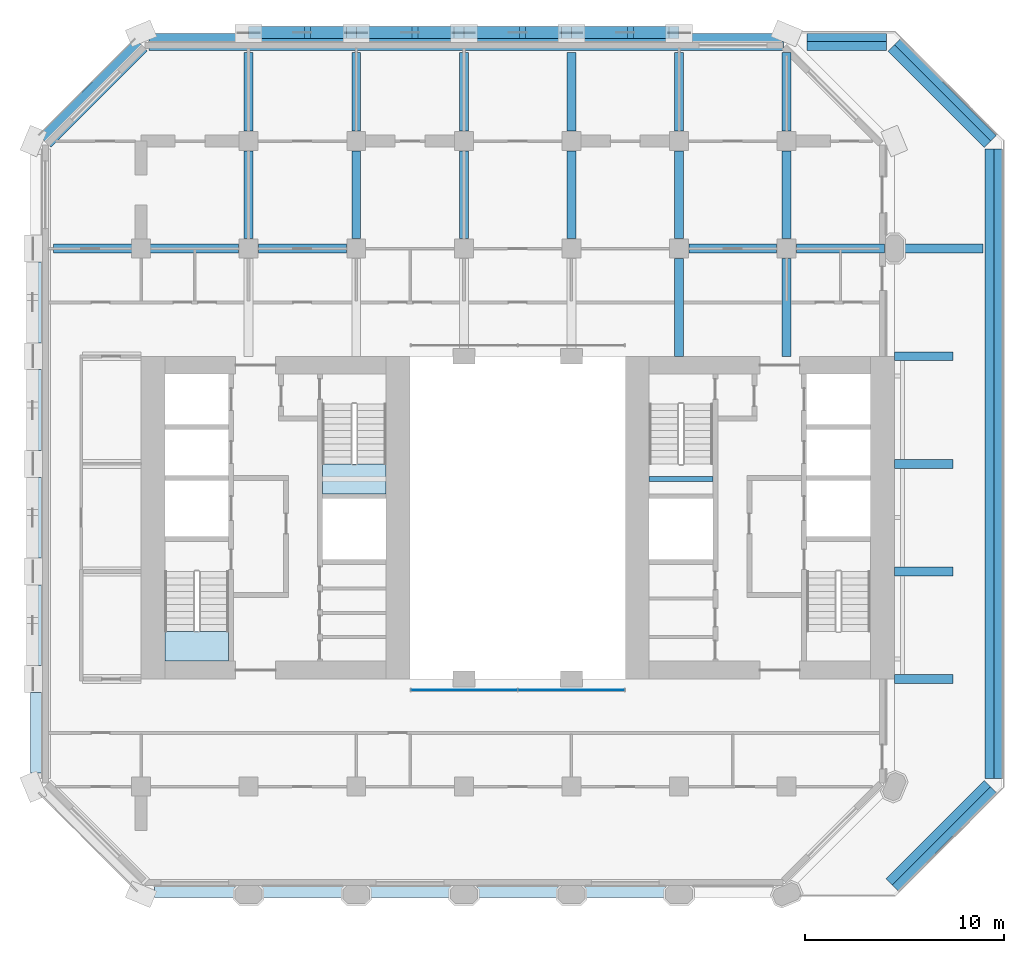
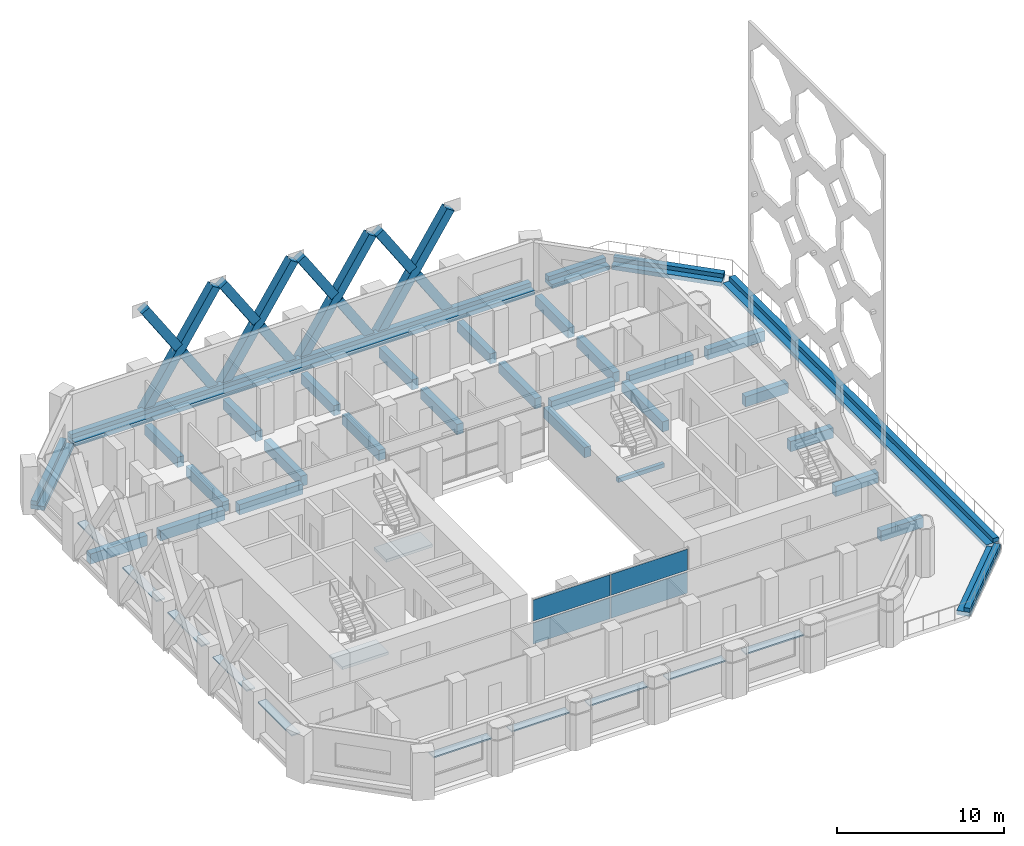
# One storey, part 5 of 14: 37 beams, 14 plates, 12 members, 2 slabs, 3 elements without a shape of their own.
"""IFC4 building model written with IfcOpenShell, lengths in metres."""

from ifc_helpers import new_model, si_unit, direction, frame, origin, origin_2d, place, context, subcontext, project, spatial, polyline, rectangle, outline, extrude, material, layer, layer_set, material_profile, profile_set, type_object, element, aggregate, save


model = new_model("IFC4")

# Units and contexts
model_context = context("Model", 3, precision=1e-05, world=origin(), true_north=direction((0.0, 1.0)))
body_context = subcontext(model_context, "Body", "Model", "MODEL_VIEW")
ifc_project = project(units=[si_unit("LENGTHUNIT", "METRE"), si_unit("AREAUNIT", "SQUARE_METRE"), si_unit("VOLUMEUNIT", "CUBIC_METRE"), si_unit("PLANEANGLEUNIT", "RADIAN"), si_unit("MASSUNIT", "GRAM", prefix="KILO")], contexts=[model_context])

# Site, building, storey
site_placement = place(None, origin())
site = spatial("IfcSite", under=ifc_project, at=site_placement, CompositionType="ELEMENT")
building_placement = place(site_placement, origin())
building = spatial("IfcBuilding", under=site, at=building_placement, Name="Tabaq Tower and Sports Hall", CompositionType="ELEMENT")
storey_placement = place(building_placement, frame((0.0, 0.0, 95.39990234375)))
storey = spatial("IfcBuildingStorey", under=building, at=storey_placement, Name="L22", CompositionType="ELEMENT", Elevation=95.39990234375)

# Beams
ifc_material_1 = material(Name="Concrete C40/50", Category="concrete")
ifc_material_profile_1 = material_profile(ifc_material_1, rectangle(XDim=0.449951171875, YDim=0.75, at=origin_2d()), Name="CB 450x750")
ifc_profile_set_1 = profile_set([ifc_material_profile_1], Name="Concrete C40/50")
beam_type_1 = type_object("IfcBeamType", Name="PT CANTILEVER BEAM CB 450x750 C40/50", PredefinedType="BEAM", material=ifc_profile_set_1)
beam_1_placement = place(storey_placement, frame((1.0, 37.800048828125, -0.6748046875), z_axis=(1.0, 0.0, 0.0), x_axis=(0.0, 1.0, 0.0)))
element("IfcBeam", 1, at=beam_1_placement, inside=storey, type_object=beam_type_1, Name="Cantilever Beam L22 W7 span 1", PredefinedType="BEAM", context=body_context, shape_type="SweptSolid", body=[
    extrude(rectangle(XDim=0.449951171875, YDim=0.75, at=origin_2d()), origin(), (0.0, 0.0, 1.0), 3.949951171875),
])
beam_2_placement = place(storey_placement, frame((5.85009765625, 37.800048828125, -0.6748046875), z_axis=(1.0, 0.0, 0.0), x_axis=(0.0, 1.0, 0.0)))
element("IfcBeam", 2, at=beam_2_placement, inside=storey, type_object=beam_type_1, Name="Cantilever Beam L22 W7 span 2", PredefinedType="BEAM", context=body_context, shape_type="SweptSolid", body=[
    extrude(rectangle(XDim=0.449951171875, YDim=0.75, at=origin_2d()), origin(), (0.0, 0.0, 1.0), 4.449951171875),
])
beam_3_placement = place(storey_placement, frame((11.300048828125, 37.800048828125, -0.6748046875), z_axis=(1.0, 0.0, 0.0), x_axis=(0.0, 1.0, 0.0)))
element("IfcBeam", 3, at=beam_3_placement, inside=storey, type_object=beam_type_1, Name="Cantilever Beam L22 W7 span 3", PredefinedType="BEAM", context=body_context, shape_type="SweptSolid", body=[
    extrude(rectangle(XDim=0.449951171875, YDim=0.75, at=origin_2d()), origin(), (0.0, 0.0, 1.0), 4.39990234375),
])
for number, where, z_axis, x_axis, name in (
    (4, (46.14990234375, 16.199951171875, -0.6748046875), (-1.0, 0.0, 0.0), (0.0, -1.0, 0.0), "Cantilever Beam L22 E3 span 1"),
    (5, (46.14990234375, 21.60009765625, -0.6748046875), (-1.0, 0.0, 0.0), (0.0, -1.0, 0.0), "Cantilever Beam L22 E4 span 1"),
    (6, (46.14990234375, 27.0, -0.6748046875), (-1.0, 0.0, 0.0), (0.0, -1.0, 0.0), "Cantilever Beam L22 E5 span 1"),
    (7, (46.14990234375, 32.39990234375, -0.6748046875), (-1.0, 0.0, 0.0), (0.0, -1.0, 0.0), "Cantilever Beam L22 E6 span 1"),
):
    element("IfcBeam", number, at=place(storey_placement, frame(where, z_axis=z_axis, x_axis=x_axis)), inside=storey, type_object=beam_type_1, Name=name, PredefinedType="BEAM", context=body_context, shape_type="SweptSolid", body=[
        extrude(rectangle(XDim=0.449951171875, YDim=0.75, at=origin_2d()), origin(), (0.0, 0.0, 1.0), 2.949951171875),
    ])
beam_4_placement = place(storey_placement, frame((47.64990234375, 37.800048828125, -0.6748046875), z_axis=(-1.0, 0.0, 0.0), x_axis=(0.0, -1.0, 0.0)))
element("IfcBeam", 8, at=beam_4_placement, inside=storey, type_object=beam_type_1, Name="Cantilever Beam L22 E7 span 1", PredefinedType="BEAM", context=body_context, shape_type="SweptSolid", body=[
    extrude(rectangle(XDim=0.449951171875, YDim=0.75, at=origin_2d()), origin(), (0.0, 0.0, 1.0), 3.949951171875),
])
beam_5_placement = place(storey_placement, frame((42.699951171875, 37.800048828125, -0.6748046875), z_axis=(-1.0, 0.0, 0.0), x_axis=(0.0, -1.0, 0.0)))
element("IfcBeam", 9, at=beam_5_placement, inside=storey, type_object=beam_type_1, Name="Cantilever Beam L22 E7 span 2", PredefinedType="BEAM", context=body_context, shape_type="SweptSolid", body=[
    extrude(rectangle(XDim=0.449951171875, YDim=0.75, at=origin_2d()), origin(), (0.0, 0.0, 1.0), 4.39990234375),
])
beam_6_placement = place(storey_placement, frame((37.300048828125, 37.800048828125, -0.6748046875), z_axis=(-1.0, 0.0, 0.0), x_axis=(0.0, -1.0, 0.0)))
element("IfcBeam", 10, at=beam_6_placement, inside=storey, type_object=beam_type_1, Name="Cantilever Beam L22 E7 span 3", PredefinedType="BEAM", context=body_context, shape_type="SweptSolid", body=[
    extrude(rectangle(XDim=0.449951171875, YDim=0.75, at=origin_2d()), origin(), (0.0, 0.0, 1.0), 4.400146484375),
])
beam_7_placement = place(storey_placement, frame((10.800048828125, 47.64990234375, -0.6748046875), z_axis=(0.0, -1.0, 0.0), x_axis=(1.0, 0.0, 0.0)))
element("IfcBeam", 11, at=beam_7_placement, inside=storey, type_object=beam_type_1, Name="Cantilever Beam L22 N2 span 1", PredefinedType="BEAM", context=body_context, shape_type="SweptSolid", body=[
    extrude(rectangle(XDim=0.449951171875, YDim=0.75, at=origin_2d()), origin(), (0.0, 0.0, 1.0), 3.949951171875),
])
beam_8_placement = place(storey_placement, frame((10.800048828125, 42.699951171875, -0.6748046875), z_axis=(0.0, -1.0, 0.0), x_axis=(1.0, 0.0, 0.0)))
element("IfcBeam", 12, at=beam_8_placement, inside=storey, type_object=beam_type_1, Name="Cantilever Beam L22 N2 span 2", PredefinedType="BEAM", context=body_context, shape_type="SweptSolid", body=[
    extrude(rectangle(XDim=0.449951171875, YDim=0.75, at=origin_2d()), origin(), (0.0, 0.0, 1.0), 4.39990234375),
])
beam_9_placement = place(storey_placement, frame((16.199951171875, 47.64990234375, -0.6748046875), z_axis=(0.0, -1.0, 0.0), x_axis=(1.0, 0.0, 0.0)))
element("IfcBeam", 13, at=beam_9_placement, inside=storey, type_object=beam_type_1, Name="Cantilever Beam L22 N3 span 1", PredefinedType="BEAM", context=body_context, shape_type="SweptSolid", body=[
    extrude(rectangle(XDim=0.449951171875, YDim=0.75, at=origin_2d()), origin(), (0.0, 0.0, 1.0), 3.949951171875),
])
beam_10_placement = place(storey_placement, frame((16.199951171875, 42.699951171875, -0.6748046875), z_axis=(0.0, -1.0, 0.0), x_axis=(1.0, 0.0, 0.0)))
element("IfcBeam", 14, at=beam_10_placement, inside=storey, type_object=beam_type_1, Name="Cantilever Beam L22 N3 span 2", PredefinedType="BEAM", context=body_context, shape_type="SweptSolid", body=[
    extrude(rectangle(XDim=0.449951171875, YDim=0.75, at=origin_2d()), origin(), (0.0, 0.0, 1.0), 4.39990234375),
])
beam_11_placement = place(storey_placement, frame((21.60009765625, 47.64990234375, -0.6748046875), z_axis=(0.0, -1.0, 0.0), x_axis=(1.0, 0.0, 0.0)))
element("IfcBeam", 15, at=beam_11_placement, inside=storey, type_object=beam_type_1, Name="Cantilever Beam L22 N4 span 1", PredefinedType="BEAM", context=body_context, shape_type="SweptSolid", body=[
    extrude(rectangle(XDim=0.449951171875, YDim=0.75, at=origin_2d()), origin(), (0.0, 0.0, 1.0), 3.949951171875),
])
beam_12_placement = place(storey_placement, frame((21.60009765625, 42.699951171875, -0.6748046875), z_axis=(0.0, -1.0, 0.0), x_axis=(1.0, 0.0, 0.0)))
element("IfcBeam", 16, at=beam_12_placement, inside=storey, type_object=beam_type_1, Name="Cantilever Beam L22 N4 span 2", PredefinedType="BEAM", context=body_context, shape_type="SweptSolid", body=[
    extrude(rectangle(XDim=0.449951171875, YDim=0.75, at=origin_2d()), origin(), (0.0, 0.0, 1.0), 4.39990234375),
])
beam_13_placement = place(storey_placement, frame((27.0, 47.64990234375, -0.6748046875), z_axis=(0.0, -1.0, 0.0), x_axis=(1.0, 0.0, 0.0)))
element("IfcBeam", 17, at=beam_13_placement, inside=storey, type_object=beam_type_1, Name="Cantilever Beam L22 N5 span 1", PredefinedType="BEAM", context=body_context, shape_type="SweptSolid", body=[
    extrude(rectangle(XDim=0.449951171875, YDim=0.75, at=origin_2d()), origin(), (0.0, 0.0, 1.0), 3.949951171875),
])
beam_14_placement = place(storey_placement, frame((27.0, 42.699951171875, -0.6748046875), z_axis=(0.0, -1.0, 0.0), x_axis=(1.0, 0.0, 0.0)))
element("IfcBeam", 18, at=beam_14_placement, inside=storey, type_object=beam_type_1, Name="Cantilever Beam L22 N5 span 2", PredefinedType="BEAM", context=body_context, shape_type="SweptSolid", body=[
    extrude(rectangle(XDim=0.449951171875, YDim=0.75, at=origin_2d()), origin(), (0.0, 0.0, 1.0), 4.39990234375),
])
beam_15_placement = place(storey_placement, frame((32.39990234375, 47.64990234375, -0.6748046875), z_axis=(0.0, -1.0, 0.0), x_axis=(1.0, 0.0, 0.0)))
element("IfcBeam", 19, at=beam_15_placement, inside=storey, type_object=beam_type_1, Name="Cantilever Beam L22 N6 span 1", PredefinedType="BEAM", context=body_context, shape_type="SweptSolid", body=[
    extrude(rectangle(XDim=0.449951171875, YDim=0.75, at=origin_2d()), origin(), (0.0, 0.0, 1.0), 3.949951171875),
])
beam_16_placement = place(storey_placement, frame((32.39990234375, 42.699951171875, -0.6748046875), z_axis=(0.0, -1.0, 0.0), x_axis=(1.0, 0.0, 0.0)))
element("IfcBeam", 20, at=beam_16_placement, inside=storey, type_object=beam_type_1, Name="Cantilever Beam L22 N6 span 2", PredefinedType="BEAM", context=body_context, shape_type="SweptSolid", body=[
    extrude(rectangle(XDim=0.449951171875, YDim=0.75, at=origin_2d()), origin(), (0.0, 0.0, 1.0), 4.39990234375),
])
beam_17_placement = place(storey_placement, frame((32.39990234375, 37.300048828125, -0.6748046875), z_axis=(0.0, -1.0, 0.0), x_axis=(1.0, 0.0, 0.0)))
element("IfcBeam", 21, at=beam_17_placement, inside=storey, type_object=beam_type_1, Name="Cantilever Beam L22 N6 span 3", PredefinedType="BEAM", context=body_context, shape_type="SweptSolid", body=[
    extrude(rectangle(XDim=0.449951171875, YDim=0.75, at=origin_2d()), origin(), (0.0, 0.0, 1.0), 4.900146484375),
])
beam_18_placement = place(storey_placement, frame((37.800048828125, 47.64990234375, -0.6748046875), z_axis=(0.0, -1.0, 0.0), x_axis=(1.0, 0.0, 0.0)))
element("IfcBeam", 22, at=beam_18_placement, inside=storey, type_object=beam_type_1, Name="Cantilever Beam L22 N7 span 1", PredefinedType="BEAM", context=body_context, shape_type="SweptSolid", body=[
    extrude(rectangle(XDim=0.449951171875, YDim=0.75, at=origin_2d()), origin(), (0.0, 0.0, 1.0), 3.949951171875),
])
beam_19_placement = place(storey_placement, frame((37.800048828125, 42.699951171875, -0.6748046875), z_axis=(0.0, -1.0, 0.0), x_axis=(1.0, 0.0, 0.0)))
element("IfcBeam", 23, at=beam_19_placement, inside=storey, type_object=beam_type_1, Name="Cantilever Beam L22 N7 span 2", PredefinedType="BEAM", context=body_context, shape_type="SweptSolid", body=[
    extrude(rectangle(XDim=0.449951171875, YDim=0.75, at=origin_2d()), origin(), (0.0, 0.0, 1.0), 4.39990234375),
])
beam_20_placement = place(storey_placement, frame((37.800048828125, 37.300048828125, -0.6748046875), z_axis=(0.0, -1.0, 0.0), x_axis=(1.0, 0.0, 0.0)))
element("IfcBeam", 24, at=beam_20_placement, inside=storey, type_object=beam_type_1, Name="Cantilever Beam L22 N7 span 3", PredefinedType="BEAM", context=body_context, shape_type="SweptSolid", body=[
    extrude(rectangle(XDim=0.449951171875, YDim=0.75, at=origin_2d()), origin(), (0.0, 0.0, 1.0), 4.900146484375),
])
ifc_material_2 = material(Name="Concrete C40/50", Category="concrete")
ifc_material_profile_2 = material_profile(ifc_material_2, rectangle(XDim=0.85009765625, YDim=0.300048828125, at=origin_2d()), Name="EB 850x300")
ifc_profile_set_2 = profile_set([ifc_material_profile_2], Name="Concrete C40/50")
beam_type_2 = type_object("IfcBeamType", Name="PT EDGE BEAM EB 850x300 C40/50", PredefinedType="SPANDREL", material=ifc_profile_set_2)
beam_21_placement = place(storey_placement, frame((37.63818359375, 48.175048828125, -0.14990234375), z_axis=(-1.0, 0.0, 0.0), x_axis=(0.0, -1.0, 0.0)))
element("IfcBeam", 25, at=beam_21_placement, inside=storey, type_object=beam_type_2, Name="Edge Beam L22 1", PredefinedType="SPANDREL", context=body_context, shape_type="SweptSolid", body=[
    extrude(rectangle(XDim=0.85009765625, YDim=0.300048828125, at=origin_2d()), origin(), (0.0, 0.0, 1.0), 31.836181640625),
])
beam_22_placement = place(storey_placement, frame((5.416259765625, 48.01513671875, -0.14990234375), z_axis=(-0.707124646667, -0.707088915255, 0.0), x_axis=(0.707088915255, -0.707124646667, 0.0)))
element("IfcBeam", 26, at=beam_22_placement, inside=storey, type_object=beam_type_2, Name="Edge Beam L22 2", PredefinedType="SPANDREL", context=body_context, shape_type="SweptSolid", body=[
    extrude(rectangle(XDim=0.85009765625, YDim=0.300048828125, at=origin_2d()), origin(), (0.0, 0.0, 1.0), 6.832763671875),
])
beam_23_placement = place(storey_placement, frame((43.076171875, 5.877197265625, -0.14990234375), z_axis=(0.707106781187, 0.707106781187, 0.0), x_axis=(-0.707106781187, 0.707106781187, 0.0)))
element("IfcBeam", 27, at=beam_23_placement, inside=storey, type_object=beam_type_2, Name="Edge Beam L22 5", PredefinedType="SPANDREL", context=body_context, shape_type="SweptSolid", body=[
    extrude(rectangle(XDim=0.85009765625, YDim=0.300048828125, at=origin_2d()), origin(), (0.0, 0.0, 1.0), 6.98486328125),
])
beam_24_placement = place(storey_placement, frame((48.175048828125, 11.2021484375, -0.14990234375), z_axis=(0.0, 1.0, 0.0), x_axis=(-1.0, 0.0, 0.0)))
element("IfcBeam", 28, at=beam_24_placement, inside=storey, type_object=beam_type_2, Name="Edge Beam L22 6", PredefinedType="SPANDREL", context=body_context, shape_type="SweptSolid", body=[
    extrude(rectangle(XDim=0.85009765625, YDim=0.300048828125, at=origin_2d()), origin(), (0.0, 0.0, 1.0), 31.595703125),
])
beam_25_placement = place(storey_placement, frame((48.01513671875, 43.183837890625, -0.14990234375), z_axis=(-0.707106781187, 0.707106781187, 0.0), x_axis=(-0.707106781187, -0.707106781187, 0.0)))
element("IfcBeam", 29, at=beam_25_placement, inside=storey, type_object=beam_type_2, Name="Edge Beam L22 7", PredefinedType="SPANDREL", context=body_context, shape_type="SweptSolid", body=[
    extrude(rectangle(XDim=0.85009765625, YDim=0.300048828125, at=origin_2d()), origin(), (0.0, 0.0, 1.0), 6.83251953125),
])
beam_26_placement = place(storey_placement, frame((42.7978515625, 48.175048828125, -0.14990234375), z_axis=(-1.0, 0.0, 0.0), x_axis=(0.0, -1.0, 0.0)))
element("IfcBeam", 30, at=beam_26_placement, inside=storey, type_object=beam_type_2, Name="Edge Beam L22 8", PredefinedType="SPANDREL", context=body_context, shape_type="SweptSolid", body=[
    extrude(rectangle(XDim=0.85009765625, YDim=0.300048828125, at=origin_2d()), origin(), (0.0, 0.0, 1.0), 3.98583984375),
])
ifc_material_3 = material(Name="Concrete C40/50", Category="concrete")
ifc_material_profile_3 = material_profile(ifc_material_3, rectangle(XDim=0.39990234375, YDim=0.300048828125, at=origin_2d()), Name="EU 400x300")
ifc_profile_set_3 = profile_set([ifc_material_profile_3], Name="Concrete C40/50")
beam_type_3 = type_object("IfcBeamType", Name="PT EDGE UPSTAND EU 400x300 C40/50", PredefinedType="BEAM", material=ifc_profile_set_3)
beam_27_placement = place(storey_placement, frame((37.63818359375, 48.39990234375, 0.150146484375), z_axis=(-1.0, 0.0, 0.0), x_axis=(0.0, -1.0, 0.0)))
element("IfcBeam", 31, at=beam_27_placement, inside=storey, type_object=beam_type_3, Name="Edge Upstand L22 1", PredefinedType="BEAM", context=body_context, shape_type="SweptSolid", body=[
    extrude(rectangle(XDim=0.39990234375, YDim=0.300048828125, at=origin_2d()), origin(), (0.0, 0.0, 1.0), 31.836181640625),
])
beam_28_placement = place(storey_placement, frame((5.257080078125, 48.17431640625, 0.150146484375), z_axis=(-0.707088915255, -0.707124646667, 0.0), x_axis=(0.707124646667, -0.707088915255, 0.0)))
element("IfcBeam", 32, at=beam_28_placement, inside=storey, type_object=beam_type_3, Name="Edge Upstand L22 2", PredefinedType="BEAM", context=body_context, shape_type="SweptSolid", body=[
    extrude(rectangle(XDim=0.39990234375, YDim=0.300048828125, at=origin_2d()), origin(), (0.0, 0.0, 1.0), 6.832763671875),
])
beam_29_placement = place(storey_placement, frame((43.2353515625, 5.71826171875, 0.150146484375), z_axis=(0.707106781187, 0.707106781187, 0.0), x_axis=(-0.707106781187, 0.707106781187, 0.0)))
element("IfcBeam", 33, at=beam_29_placement, inside=storey, type_object=beam_type_3, Name="Edge Upstand L22 5", PredefinedType="BEAM", context=body_context, shape_type="SweptSolid", body=[
    extrude(rectangle(XDim=0.39990234375, YDim=0.300048828125, at=origin_2d()), origin(), (0.0, 0.0, 1.0), 6.98486328125),
])
beam_30_placement = place(storey_placement, frame((48.39990234375, 11.2021484375, 0.150146484375), z_axis=(0.0, 1.0, 0.0), x_axis=(-1.0, 0.0, 0.0)))
element("IfcBeam", 34, at=beam_30_placement, inside=storey, type_object=beam_type_3, Name="Edge Upstand L22 6", PredefinedType="BEAM", context=body_context, shape_type="SweptSolid", body=[
    extrude(rectangle(XDim=0.39990234375, YDim=0.300048828125, at=origin_2d()), origin(), (0.0, 0.0, 1.0), 31.595703125),
])
beam_31_placement = place(storey_placement, frame((48.17431640625, 43.3427734375, 0.150146484375), z_axis=(-0.707106781187, 0.707106781187, 0.0), x_axis=(-0.707106781187, -0.707106781187, 0.0)))
element("IfcBeam", 35, at=beam_31_placement, inside=storey, type_object=beam_type_3, Name="Edge Upstand L22 7", PredefinedType="BEAM", context=body_context, shape_type="SweptSolid", body=[
    extrude(rectangle(XDim=0.39990234375, YDim=0.300048828125, at=origin_2d()), origin(), (0.0, 0.0, 1.0), 6.832763671875),
])
beam_32_placement = place(storey_placement, frame((42.7978515625, 48.39990234375, 0.150146484375), z_axis=(-1.0, 0.0, 0.0), x_axis=(0.0, -1.0, 0.0)))
element("IfcBeam", 36, at=beam_32_placement, inside=storey, type_object=beam_type_3, Name="Edge Upstand L22 8", PredefinedType="BEAM", context=body_context, shape_type="SweptSolid", body=[
    extrude(rectangle(XDim=0.39990234375, YDim=0.300048828125, at=origin_2d()), origin(), (0.0, 0.0, 1.0), 3.98583984375),
])

# Members
ifc_material_4 = material(Name="Concrete C60/75", Category="concrete")
ifc_material_profile_4 = material_profile(ifc_material_4, rectangle(XDim=0.60009765625, YDim=0.60009765625, at=origin_2d()), Name="TRANSFER BAND BRACE 600x600")
ifc_profile_set_4 = profile_set([ifc_material_profile_4], Name="Concrete C60/75")
member_type = type_object("IfcMemberType", Name="RC TRANSFER BAND BRACE 600x600 C60/75", PredefinedType="BRACE", material=ifc_profile_set_4)
member_1_placement = place(storey_placement, frame((11.050048828125, 48.64990234375, -0.0498046875), z_axis=(0.546940944285, 0.0, 0.837171191253), x_axis=(0.0, 1.0, 0.0)))
element("IfcMember", 37, at=member_1_placement, inside=storey, type_object=member_type, Name="Transfer Band Brace L22 North 1", PredefinedType="BRACE", context=body_context, shape_type="SweptSolid", body=[
    extrude(rectangle(XDim=0.60009765625, YDim=0.60009765625, at=origin_2d()), origin(), (0.0, 0.0, 1.0), 8.958740234375),
])
member_2_placement = place(storey_placement, frame((15.949951171875, 48.64990234375, -0.0498046875), z_axis=(-0.546939353543, 0.0, 0.837172230516), x_axis=(0.0, -1.0, 0.0)))
element("IfcMember", 38, at=member_2_placement, inside=storey, type_object=member_type, Name="Transfer Band Brace L22 North 2", PredefinedType="BRACE", context=body_context, shape_type="SweptSolid", body=[
    extrude(rectangle(XDim=0.60009765625, YDim=0.60009765625, at=origin_2d()), origin(), (0.0, 0.0, 1.0), 4.20166015625),
])
member_3_placement = place(storey_placement, frame((13.34814453125, 48.64990234375, 3.932373046875), z_axis=(-0.546912749448, 0.0, 0.837189610836), x_axis=(0.0, -1.0, 0.0)))
element("IfcMember", 39, at=member_3_placement, inside=storey, type_object=member_type, Name="Transfer Band Brace L22 North 3", PredefinedType="BRACE", context=body_context, shape_type="SweptSolid", body=[
    extrude(rectangle(XDim=0.60009765625, YDim=0.60009765625, at=origin_2d()), origin(), (0.0, 0.0, 1.0), 4.201904296875),
])
member_4_placement = place(storey_placement, frame((16.449951171875, 48.64990234375, -0.0498046875), z_axis=(0.546960043342, 0.0, 0.837158713141), x_axis=(0.0, 1.0, 0.0)))
element("IfcMember", 40, at=member_4_placement, inside=storey, type_object=member_type, Name="Transfer Band Brace L22 North 4", PredefinedType="BRACE", context=body_context, shape_type="SweptSolid", body=[
    extrude(rectangle(XDim=0.60009765625, YDim=0.60009765625, at=origin_2d()), origin(), (0.0, 0.0, 1.0), 8.958984375),
])
member_5_placement = place(storey_placement, frame((21.35009765625, 48.64990234375, -0.0498046875), z_axis=(-0.546980074693, 0.0, 0.837145625258), x_axis=(0.0, -1.0, 0.0)))
element("IfcMember", 41, at=member_5_placement, inside=storey, type_object=member_type, Name="Transfer Band Brace L22 North 5", PredefinedType="BRACE", context=body_context, shape_type="SweptSolid", body=[
    extrude(rectangle(XDim=0.60009765625, YDim=0.60009765625, at=origin_2d()), origin(), (0.0, 0.0, 1.0), 4.201904296875),
])
member_6_placement = place(storey_placement, frame((18.748291015625, 48.64990234375, 3.932373046875), z_axis=(-0.546953470309, 0.0, 0.837163007614), x_axis=(0.0, -1.0, 0.0)))
element("IfcMember", 42, at=member_6_placement, inside=storey, type_object=member_type, Name="Transfer Band Brace L22 North 6", PredefinedType="BRACE", context=body_context, shape_type="SweptSolid", body=[
    extrude(rectangle(XDim=0.60009765625, YDim=0.60009765625, at=origin_2d()), origin(), (0.0, 0.0, 1.0), 4.2021484375),
])
member_7_placement = place(storey_placement, frame((21.85009765625, 48.64990234375, -0.0498046875), z_axis=(0.546940944285, 0.0, 0.837171191253), x_axis=(0.0, 1.0, 0.0)))
element("IfcMember", 43, at=member_7_placement, inside=storey, type_object=member_type, Name="Transfer Band Brace L22 North 7", PredefinedType="BRACE", context=body_context, shape_type="SweptSolid", body=[
    extrude(rectangle(XDim=0.60009765625, YDim=0.60009765625, at=origin_2d()), origin(), (0.0, 0.0, 1.0), 8.958740234375),
])
member_8_placement = place(storey_placement, frame((26.75, 48.64990234375, -0.0498046875), z_axis=(-0.546939353543, 0.0, 0.837172230516), x_axis=(0.0, -1.0, 0.0)))
element("IfcMember", 44, at=member_8_placement, inside=storey, type_object=member_type, Name="Transfer Band Brace L22 North 8", PredefinedType="BRACE", context=body_context, shape_type="SweptSolid", body=[
    extrude(rectangle(XDim=0.60009765625, YDim=0.60009765625, at=origin_2d()), origin(), (0.0, 0.0, 1.0), 4.20166015625),
])
member_9_placement = place(storey_placement, frame((24.148193359375, 48.64990234375, 3.932373046875), z_axis=(-0.546912749448, 0.0, 0.837189610836), x_axis=(0.0, -1.0, 0.0)))
element("IfcMember", 45, at=member_9_placement, inside=storey, type_object=member_type, Name="Transfer Band Brace L22 North 9", PredefinedType="BRACE", context=body_context, shape_type="SweptSolid", body=[
    extrude(rectangle(XDim=0.60009765625, YDim=0.60009765625, at=origin_2d()), origin(), (0.0, 0.0, 1.0), 4.201904296875),
])
member_10_placement = place(storey_placement, frame((27.25, 48.64990234375, -0.0498046875), z_axis=(0.546940944285, 0.0, 0.837171191253), x_axis=(0.0, 1.0, 0.0)))
element("IfcMember", 46, at=member_10_placement, inside=storey, type_object=member_type, Name="Transfer Band Brace L22 North 10", PredefinedType="BRACE", context=body_context, shape_type="SweptSolid", body=[
    extrude(rectangle(XDim=0.60009765625, YDim=0.60009765625, at=origin_2d()), origin(), (0.0, 0.0, 1.0), 8.958740234375),
])
member_11_placement = place(storey_placement, frame((32.14990234375, 48.64990234375, -0.0498046875), z_axis=(-0.546939353543, 0.0, 0.837172230516), x_axis=(0.0, -1.0, 0.0)))
element("IfcMember", 47, at=member_11_placement, inside=storey, type_object=member_type, Name="Transfer Band Brace L22 North 11", PredefinedType="BRACE", context=body_context, shape_type="SweptSolid", body=[
    extrude(rectangle(XDim=0.60009765625, YDim=0.60009765625, at=origin_2d()), origin(), (0.0, 0.0, 1.0), 4.20166015625),
])
member_12_placement = place(storey_placement, frame((29.548095703125, 48.64990234375, 3.932373046875), z_axis=(-0.546912749448, 0.0, 0.837189610836), x_axis=(0.0, -1.0, 0.0)))
element("IfcMember", 48, at=member_12_placement, inside=storey, type_object=member_type, Name="Transfer Band Brace L22 North 12", PredefinedType="BRACE", context=body_context, shape_type="SweptSolid", body=[
    extrude(rectangle(XDim=0.60009765625, YDim=0.60009765625, at=origin_2d()), origin(), (0.0, 0.0, 1.0), 4.201904296875),
])

# Beam
ifc_material_5 = material(Name="Concrete C40/50", Category="concrete")
ifc_material_profile_5 = material_profile(ifc_material_5, rectangle(XDim=0.25, YDim=0.300048828125, at=origin_2d()), Name="RC 250x300")
ifc_profile_set_5 = profile_set([ifc_material_profile_5], Name="Concrete C40/50")
beam_type_4 = type_object("IfcBeamType", Name="Stair landing beam 250x300", PredefinedType="BEAM", material=ifc_profile_set_5)
beam_33_placement = place(storey_placement, frame((30.89990234375, 26.25, 1.550048828125), z_axis=(1.0, 0.0, 0.0), x_axis=(0.0, 1.0, 0.0)))
element("IfcBeam", 49, at=beam_33_placement, inside=storey, type_object=beam_type_4, Name="L22 ST4 landing beam 1", PredefinedType="BEAM", context=body_context, shape_type="SweptSolid", body=[
    extrude(rectangle(XDim=0.25, YDim=0.300048828125, at=origin_2d()), origin(), (0.0, 0.0, 1.0), 3.2001953125),
])

# Curtain wall, plates
ifc_material_6 = material(Name="Aluminium alloy 6063-T6 framed glazing", Category="aluminium")
curtain_wall_type = type_object("IfcCurtainWallType", Name="CW1 curtain wall", PredefinedType="USERDEFINED", material=ifc_material_6)
curtain_wall_placement = place(storey_placement, origin())
curtain_wall = element("IfcCurtainWall", 50, at=curtain_wall_placement, inside=storey, type_object=curtain_wall_type, Name="Atrium glazing L22 S", ObjectType="ATRIUM ENCLOSURE", PredefinedType="USERDEFINED")
ifc_material_7 = material(Name="Clear low-emissivity glass 28 mm", Category="glass")
ifc_layer_1 = layer(ifc_material_7, 0.028076171875)
ifc_layer_set_1 = layer_set([ifc_layer_1], Name="CW1 glass panel 28")
plate_type_1 = type_object("IfcPlateType", Name="CW1 glass panel 28", PredefinedType="CURTAIN_PANEL", material=ifc_layer_set_1)
plate_1_placement = place(storey_placement, frame((21.614990234375, 15.64990234375, 0.14013671875), z_axis=(0.0, 0.0, 1.0), x_axis=(1.0, 0.0, 0.0)))
plate_1 = element("IfcPlate", 51, at=plate_1_placement, type_object=plate_type_1, Name="CW1 panel 1.1", PredefinedType="CURTAIN_PANEL", context=body_context, shape_type="SweptSolid", body=[
    extrude(rectangle(XDim=5.31005859375, YDim=0.028076171875, at=origin_2d()), origin(), (0.0, 0.0, 1.0), 1.5400390625),
])
plate_2_placement = place(storey_placement, frame((21.614990234375, 15.64990234375, 1.820068359375), z_axis=(0.0, 0.0, 1.0), x_axis=(1.0, 0.0, 0.0)))
plate_2 = element("IfcPlate", 52, at=plate_2_placement, type_object=plate_type_1, Name="CW1 panel 1.2", PredefinedType="CURTAIN_PANEL", context=body_context, shape_type="SweptSolid", body=[
    extrude(rectangle(XDim=5.31005859375, YDim=0.028076171875, at=origin_2d()), origin(), (0.0, 0.0, 1.0), 1.5400390625),
])
plate_3_placement = place(storey_placement, frame((26.985107421875, 15.64990234375, 0.14013671875), z_axis=(0.0, 0.0, 1.0), x_axis=(1.0, 0.0, 0.0)))
plate_3 = element("IfcPlate", 53, at=plate_3_placement, type_object=plate_type_1, Name="CW1 panel 2.1", PredefinedType="CURTAIN_PANEL", context=body_context, shape_type="SweptSolid", body=[
    extrude(rectangle(XDim=5.31005859375, YDim=0.028076171875, at=origin_2d()), origin(), (0.0, 0.0, 1.0), 1.5400390625),
])
plate_4_placement = place(storey_placement, frame((26.985107421875, 15.64990234375, 1.820068359375), z_axis=(0.0, 0.0, 1.0), x_axis=(1.0, 0.0, 0.0)))
plate_4 = element("IfcPlate", 54, at=plate_4_placement, type_object=plate_type_1, Name="CW1 panel 2.2", PredefinedType="CURTAIN_PANEL", context=body_context, shape_type="SweptSolid", body=[
    extrude(rectangle(XDim=5.31005859375, YDim=0.028076171875, at=origin_2d()), origin(), (0.0, 0.0, 1.0), 1.5400390625),
])
aggregate(curtain_wall, [plate_1, plate_2, plate_3, plate_4])

# Stair, slab
ifc_material_8 = material(Name="Concrete C40/50", Category="concrete")
stair_type = type_object("IfcStairType", Name="Exit stair", PredefinedType="HALF_TURN_STAIR", material=ifc_material_8)
stair_1_placement = place(storey_placement, origin())
stair_1 = element("IfcStair", 55, at=stair_1_placement, inside=storey, type_object=stair_type, Name="L22 Exit stair ST1", PredefinedType="HALF_TURN_STAIR")
ifc_material_9 = material(Name="Concrete C40/50", Category="concrete")
ifc_layer_2 = layer(ifc_material_9, 0.199951171875)
ifc_layer_set_2 = layer_set([ifc_layer_2], Name="Exit stair landing")
slab_type = type_object("IfcSlabType", Name="Exit stair landing", PredefinedType="LANDING", material=ifc_layer_set_2)
slab_1_placement = place(storey_placement, frame((0.0, 0.0, 1.7001953125)))
slab_1 = element("IfcSlab", 56, at=slab_1_placement, type_object=slab_type, Name="ST1 landing 1", PredefinedType="LANDING", context=body_context, shape_type="SweptSolid", body=[
    extrude(outline(polyline([(6.60009765625, 18.60009765625), (6.60009765625, 17.10009765625), (9.800048828125, 17.10009765625), (9.800048828125, 18.60009765625), (6.60009765625, 18.60009765625)])), origin(), (0.0, 0.0, 1.0), 0.199951171875),
])
aggregate(stair_1, [slab_1])

stair_2_placement = place(storey_placement, origin())
stair_2 = element("IfcStair", 57, at=stair_2_placement, inside=storey, type_object=stair_type, Name="L22 Exit stair ST2", PredefinedType="HALF_TURN_STAIR")
slab_2_placement = place(storey_placement, frame((0.0, 0.0, 1.7001953125)))
slab_2 = element("IfcSlab", 58, at=slab_2_placement, type_object=slab_type, Name="ST2 landing 1", PredefinedType="LANDING", context=body_context, shape_type="SweptSolid", body=[
    extrude(outline(polyline([(14.5, 27.0), (14.5, 25.5), (17.699951171875, 25.5), (17.699951171875, 27.0), (14.5, 27.0)])), origin(), (0.0, 0.0, 1.0), 0.199951171875),
])
aggregate(stair_2, [slab_2])

# Plates
ifc_material_10 = material(Name="White precast concrete C60/75 blade", Category="concrete")
ifc_layer_3 = layer(ifc_material_10, 0.10009765625)
ifc_layer_set_3 = layer_set([ifc_layer_3], Name="White precast concrete C60/75 sunshade 100")
plate_type_2 = type_object("IfcPlateType", Name="White precast concrete C60/75 sunshade 100", PredefinedType="USERDEFINED", material=ifc_layer_set_3)
for number, where, z_axis, x_axis, name in (
    (59, (8.10009765625, 5.550048828125, 2.60009765625), (0.0, 0.0, 1.0), (1.0, 0.0, 0.0), "Sunshade L22 S"),
    (60, (13.5, 5.550048828125, 2.60009765625), (0.0, 0.0, 1.0), (1.0, 0.0, 0.0), "Sunshade L22 S"),
    (61, (18.89990234375, 5.550048828125, 2.60009765625), (0.0, 0.0, 1.0), (1.0, 0.0, 0.0), "Sunshade L22 S"),
    (62, (24.300048828125, 5.550048828125, 2.60009765625), (0.0, 0.0, 1.0), (1.0, 0.0, 0.0), "Sunshade L22 S"),
    (63, (29.699951171875, 5.550048828125, 2.60009765625), (0.0, 0.0, 1.0), (1.0, 0.0, 0.0), "Sunshade L22 S"),
    (64, (0.14990234375, 35.10009765625, 2.60009765625), (0.0, 0.0, 1.0), (0.0, -1.0, 0.0), "Sunshade L22 W"),
    (65, (0.14990234375, 29.699951171875, 2.60009765625), (0.0, 0.0, 1.0), (0.0, -1.0, 0.0), "Sunshade L22 W"),
    (66, (0.14990234375, 24.300048828125, 2.60009765625), (0.0, 0.0, 1.0), (0.0, -1.0, 0.0), "Sunshade L22 W"),
    (67, (0.14990234375, 18.89990234375, 2.60009765625), (0.0, 0.0, 1.0), (0.0, -1.0, 0.0), "Sunshade L22 W"),
    (68, (0.14990234375, 13.5, 2.60009765625), (0.0, 0.0, 1.0), (0.0, -1.0, 0.0), "Sunshade L22 W"),
):
    element("IfcPlate", number, at=place(storey_placement, frame(where, z_axis=z_axis, x_axis=x_axis)), inside=storey, type_object=plate_type_2, Name=name, ObjectType="SUNSHADE", PredefinedType="USERDEFINED", context=body_context, shape_type="SweptSolid", body=[
        extrude(rectangle(XDim=4.050048828125, YDim=0.60009765625, at=origin_2d()), origin(), (0.0, 0.0, 1.0), 0.10009765625),
    ])

save(model, "model.ifc")
